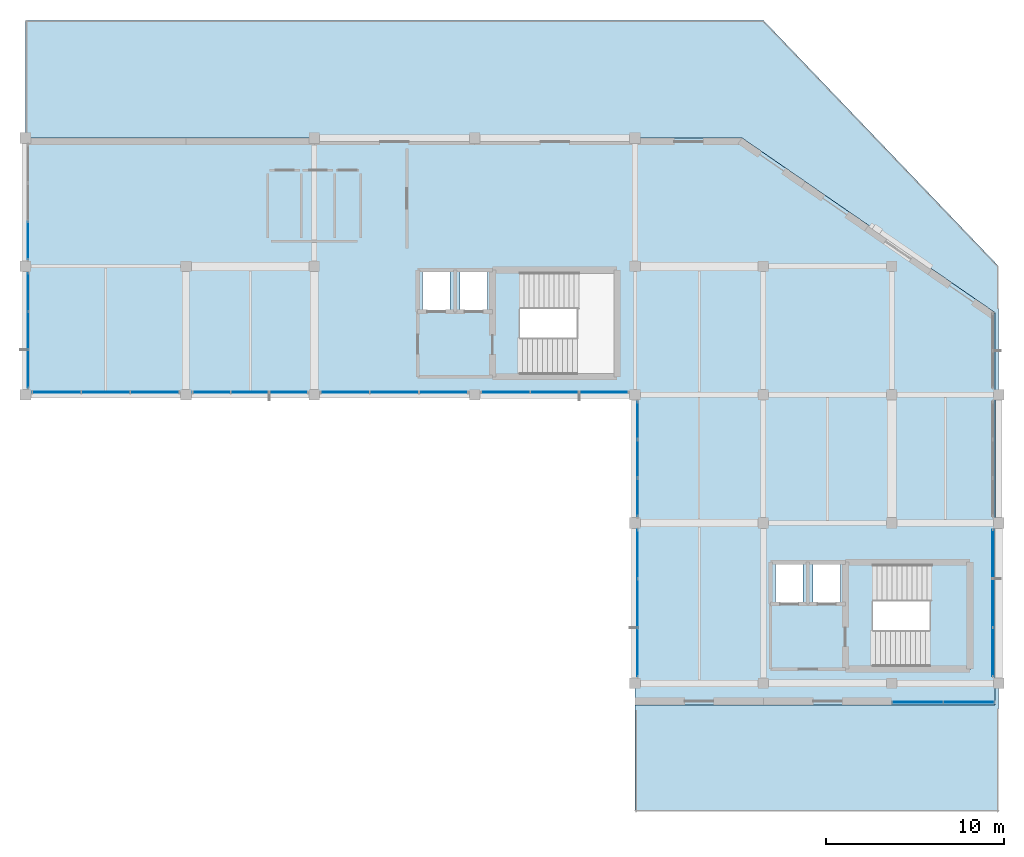
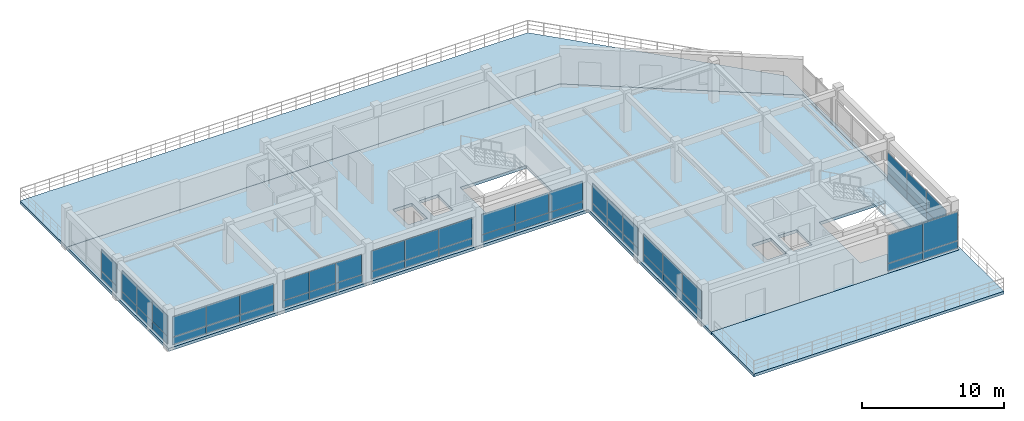
# One storey, part 7 of 12: 54 plates, 3 slabs, 11 elements without a shape of their own.
"""IFC4 building model written with IfcOpenShell, lengths in metres."""

from ifc_helpers import new_model, si_unit, direction, frame, frame_2d, origin, place, context, subcontext, project, spatial, polyline, rectangle, outline, extrude, material, layer, layer_set, type_object, element, aggregate, save


model = new_model("IFC4")

# Units and contexts
model_context = context("Model", 3, precision=1e-05, world=origin(), true_north=direction((0.0, 1.0)))
body_context = subcontext(model_context, "Body", "Model", "MODEL_VIEW")
ifc_project = project(units=[si_unit("LENGTHUNIT", "METRE"), si_unit("AREAUNIT", "SQUARE_METRE"), si_unit("VOLUMEUNIT", "CUBIC_METRE"), si_unit("PLANEANGLEUNIT", "RADIAN"), si_unit("MASSUNIT", "GRAM", prefix="KILO")], contexts=[model_context])

# Site, building, storey
site_placement = place(None, origin())
site = spatial("IfcSite", under=ifc_project, at=site_placement, CompositionType="ELEMENT")
building_placement = place(site_placement, origin())
building = spatial("IfcBuilding", under=site, at=building_placement, Name="Clarverna Civic Hall", CompositionType="ELEMENT")
storey_placement = place(building_placement, frame((0.0, 0.0, 24.0)))
storey = spatial("IfcBuildingStorey", under=building, at=storey_placement, Name="L06", CompositionType="ELEMENT", Elevation=24.0)

# Curtain wall, plates
ifc_material_1 = material(Name="Anodised Bronze Architectural Aluminium", Category="aluminium")
curtain_wall_type = type_object("IfcCurtainWallType", Name="CW-01", PredefinedType="USERDEFINED", material=ifc_material_1)
curtain_wall_1_placement = place(storey_placement, origin())
curtain_wall_1 = element("IfcCurtainWall", 1, at=curtain_wall_1_placement, inside=storey, type_object=curtain_wall_type, Name="CW-01-114", ObjectType="UNITISED CURTAIN WALL", PredefinedType="USERDEFINED")
ifc_material_2 = material(Name="Solar-Control Argon Low-E Double Glazing", Category="glass")
ifc_layer_1 = layer(ifc_material_2, 0.031982421875)
ifc_layer_set_1 = layer_set([ifc_layer_1], Name="Solar-Control Argon Low-E Double Glazing")
plate_type_1 = type_object("IfcPlateType", Name="CWP-01", PredefinedType="CURTAIN_PANEL", material=ifc_layer_set_1)
plate_1_placement = place(storey_placement, frame((113.5400390625, 95.387939453125, 0.764892578125), z_axis=(0.0, 0.0, 1.0), x_axis=(0.0, 1.0, 0.0)))
plate_1 = element("IfcPlate", 2, at=plate_1_placement, type_object=plate_type_1, Name="CWP-01-607", PredefinedType="CURTAIN_PANEL", context=body_context, shape_type="SweptSolid", body=[
    extrude(rectangle(XDim=2.121337890625, YDim=0.031982421875, at=frame_2d((1.060546875, 0.0))), origin(), (0.0, 0.0, 1.0), 1.78515625),
])
plate_2_placement = place(storey_placement, frame((113.5400390625, 97.539306640625, 0.764892578125), z_axis=(0.0, 0.0, 1.0), x_axis=(0.0, 1.0, 0.0)))
plate_2 = element("IfcPlate", 3, at=plate_2_placement, type_object=plate_type_1, Name="CWP-01-608", PredefinedType="CURTAIN_PANEL", context=body_context, shape_type="SweptSolid", body=[
    extrude(rectangle(XDim=2.121337890625, YDim=0.031982421875, at=frame_2d((1.060546875, 0.0))), origin(), (0.0, 0.0, 1.0), 1.78515625),
])
plate_3_placement = place(storey_placement, frame((113.5400390625, 99.690673828125, 0.764892578125), z_axis=(0.0, 0.0, 1.0), x_axis=(0.0, 1.0, 0.0)))
plate_3 = element("IfcPlate", 4, at=plate_3_placement, type_object=plate_type_1, Name="CWP-01-609", PredefinedType="CURTAIN_PANEL", context=body_context, shape_type="SweptSolid", body=[
    extrude(rectangle(XDim=2.121337890625, YDim=0.031982421875, at=frame_2d((1.060546875, 0.0))), origin(), (0.0, 0.0, 1.0), 1.78515625),
])

# Curtain wall, plate
curtain_wall_2_placement = place(storey_placement, origin())
curtain_wall_2 = element("IfcCurtainWall", 5, at=curtain_wall_2_placement, inside=storey, type_object=curtain_wall_type, Name="CW-01-115", ObjectType="UNITISED CURTAIN WALL", PredefinedType="USERDEFINED")
plate_4_placement = place(storey_placement, frame((113.5400390625, 102.587890625, 0.764892578125), z_axis=(0.0, 0.0, 1.0), x_axis=(0.0, 1.0, 0.0)))
plate_4 = element("IfcPlate", 6, at=plate_4_placement, type_object=plate_type_1, Name="CWP-01-610", PredefinedType="CURTAIN_PANEL", context=body_context, shape_type="SweptSolid", body=[
    extrude(rectangle(XDim=2.121337890625, YDim=0.031982421875, at=frame_2d((1.060546875, 0.0))), origin(), (0.0, 0.0, 1.0), 1.864990234375),
])

# Curtain wall, plates
curtain_wall_3_placement = place(storey_placement, origin())
curtain_wall_3 = element("IfcCurtainWall", 7, at=curtain_wall_3_placement, inside=storey, type_object=curtain_wall_type, Name="CW-01-118", ObjectType="UNITISED CURTAIN WALL", PredefinedType="USERDEFINED")
plate_5_placement = place(storey_placement, frame((167.659912109375, 87.412109375, 0.764892578125), z_axis=(0.0, 0.0, 1.0), x_axis=(0.0, -1.0, 0.0)))
plate_5 = element("IfcPlate", 8, at=plate_5_placement, type_object=plate_type_1, Name="CWP-01-618", PredefinedType="CURTAIN_PANEL", context=body_context, shape_type="SweptSolid", body=[
    extrude(rectangle(XDim=2.721435546875, YDim=0.031982421875, at=frame_2d((1.36083984375, 0.0))), origin(), (0.0, 0.0, 1.0), 1.7451171875),
])
plate_6_placement = place(storey_placement, frame((167.659912109375, 84.66064453125, 0.764892578125), z_axis=(0.0, 0.0, 1.0), x_axis=(0.0, -1.0, 0.0)))
plate_6 = element("IfcPlate", 9, at=plate_6_placement, type_object=plate_type_1, Name="CWP-01-619", PredefinedType="CURTAIN_PANEL", context=body_context, shape_type="SweptSolid", body=[
    extrude(rectangle(XDim=2.721435546875, YDim=0.031982421875, at=frame_2d((1.36083984375, 0.0))), origin(), (0.0, 0.0, 1.0), 1.7451171875),
])
plate_7_placement = place(storey_placement, frame((167.659912109375, 81.9091796875, 0.764892578125), z_axis=(0.0, 0.0, 1.0), x_axis=(0.0, -1.0, 0.0)))
plate_7 = element("IfcPlate", 10, at=plate_7_placement, type_object=plate_type_1, Name="CWP-01-620", PredefinedType="CURTAIN_PANEL", context=body_context, shape_type="SweptSolid", body=[
    extrude(rectangle(XDim=2.72119140625, YDim=0.031982421875, at=frame_2d((1.360595703125, 0.0))), origin(), (0.0, 0.0, 1.0), 1.7451171875),
])

curtain_wall_4_placement = place(storey_placement, origin())
curtain_wall_4 = element("IfcCurtainWall", 11, at=curtain_wall_4_placement, inside=storey, type_object=curtain_wall_type, Name="CW-01-119", ObjectType="UNITISED CURTAIN WALL", PredefinedType="USERDEFINED")
plate_8_placement = place(storey_placement, frame((167.751953125, 77.739990234375, 0.764892578125), z_axis=(0.0, 0.0, 1.0), x_axis=(-1.0, 0.0, 0.0)))
plate_8 = element("IfcPlate", 12, at=plate_8_placement, type_object=plate_type_1, Name="CWP-01-621", PredefinedType="CURTAIN_PANEL", context=body_context, shape_type="SweptSolid", body=[
    extrude(rectangle(XDim=2.8369140625, YDim=0.031982421875, at=frame_2d((1.41845703125, 0.0))), origin(), (0.0, 0.0, 1.0), 2.465087890625),
])
plate_9_placement = place(storey_placement, frame((164.885009765625, 77.739990234375, 0.764892578125), z_axis=(0.0, 0.0, 1.0), x_axis=(-1.0, 0.0, 0.0)))
plate_9 = element("IfcPlate", 13, at=plate_9_placement, type_object=plate_type_1, Name="CWP-01-622", PredefinedType="CURTAIN_PANEL", context=body_context, shape_type="SweptSolid", body=[
    extrude(rectangle(XDim=2.8369140625, YDim=0.031982421875, at=frame_2d((1.41845703125, 0.0))), origin(), (0.0, 0.0, 1.0), 2.465087890625),
])

curtain_wall_5_placement = place(storey_placement, origin())
curtain_wall_5 = element("IfcCurtainWall", 14, at=curtain_wall_5_placement, inside=storey, type_object=curtain_wall_type, Name="CW-01-120", ObjectType="UNITISED CURTAIN WALL", PredefinedType="USERDEFINED")
plate_10_placement = place(storey_placement, frame((147.739990234375, 79.18798828125, 0.764892578125), z_axis=(0.0, 0.0, 1.0), x_axis=(0.0, 1.0, 0.0)))
plate_10 = element("IfcPlate", 15, at=plate_10_placement, type_object=plate_type_1, Name="CWP-01-623", PredefinedType="CURTAIN_PANEL", context=body_context, shape_type="SweptSolid", body=[
    extrude(rectangle(XDim=2.72119140625, YDim=0.031982421875, at=frame_2d((1.360595703125, 0.0))), origin(), (0.0, 0.0, 1.0), 1.715087890625),
])
plate_11_placement = place(storey_placement, frame((147.739990234375, 81.939208984375, 0.764892578125), z_axis=(0.0, 0.0, 1.0), x_axis=(0.0, 1.0, 0.0)))
plate_11 = element("IfcPlate", 16, at=plate_11_placement, type_object=plate_type_1, Name="CWP-01-624", PredefinedType="CURTAIN_PANEL", context=body_context, shape_type="SweptSolid", body=[
    extrude(rectangle(XDim=2.721435546875, YDim=0.031982421875, at=frame_2d((1.36083984375, 0.0))), origin(), (0.0, 0.0, 1.0), 1.715087890625),
])
plate_12_placement = place(storey_placement, frame((147.739990234375, 84.690673828125, 0.764892578125), z_axis=(0.0, 0.0, 1.0), x_axis=(0.0, 1.0, 0.0)))
plate_12 = element("IfcPlate", 17, at=plate_12_placement, type_object=plate_type_1, Name="CWP-01-625", PredefinedType="CURTAIN_PANEL", context=body_context, shape_type="SweptSolid", body=[
    extrude(rectangle(XDim=2.721435546875, YDim=0.031982421875, at=frame_2d((1.36083984375, 0.0))), origin(), (0.0, 0.0, 1.0), 1.715087890625),
])

curtain_wall_6_placement = place(storey_placement, origin())
curtain_wall_6 = element("IfcCurtainWall", 18, at=curtain_wall_6_placement, inside=storey, type_object=curtain_wall_type, Name="CW-01-121", ObjectType="UNITISED CURTAIN WALL", PredefinedType="USERDEFINED")
plate_13_placement = place(storey_placement, frame((147.739990234375, 88.18798828125, 0.764892578125), z_axis=(0.0, 0.0, 1.0), x_axis=(0.0, 1.0, 0.0)))
plate_13 = element("IfcPlate", 19, at=plate_13_placement, type_object=plate_type_1, Name="CWP-01-626", PredefinedType="CURTAIN_PANEL", context=body_context, shape_type="SweptSolid", body=[
    extrude(rectangle(XDim=2.121337890625, YDim=0.031982421875, at=frame_2d((1.060546875, 0.0))), origin(), (0.0, 0.0, 1.0), 1.715087890625),
])
plate_14_placement = place(storey_placement, frame((147.739990234375, 90.33935546875, 0.764892578125), z_axis=(0.0, 0.0, 1.0), x_axis=(0.0, 1.0, 0.0)))
plate_14 = element("IfcPlate", 20, at=plate_14_placement, type_object=plate_type_1, Name="CWP-01-627", PredefinedType="CURTAIN_PANEL", context=body_context, shape_type="SweptSolid", body=[
    extrude(rectangle(XDim=2.121337890625, YDim=0.031982421875, at=frame_2d((1.060546875, 0.0))), origin(), (0.0, 0.0, 1.0), 1.715087890625),
])
plate_15_placement = place(storey_placement, frame((147.739990234375, 92.49072265625, 0.764892578125), z_axis=(0.0, 0.0, 1.0), x_axis=(0.0, 1.0, 0.0)))
plate_15 = element("IfcPlate", 21, at=plate_15_placement, type_object=plate_type_1, Name="CWP-01-628", PredefinedType="CURTAIN_PANEL", context=body_context, shape_type="SweptSolid", body=[
    extrude(rectangle(XDim=2.121337890625, YDim=0.031982421875, at=frame_2d((1.060546875, 0.0))), origin(), (0.0, 0.0, 1.0), 1.715087890625),
])

curtain_wall_7_placement = place(storey_placement, origin())
curtain_wall_7 = element("IfcCurtainWall", 22, at=curtain_wall_7_placement, inside=storey, type_object=curtain_wall_type, Name="CW-01-122", ObjectType="UNITISED CURTAIN WALL", PredefinedType="USERDEFINED")
plate_16_placement = place(storey_placement, frame((147.2119140625, 95.139892578125, 0.764892578125), z_axis=(0.0, 0.0, 1.0), x_axis=(-1.0, 0.0, 0.0)))
plate_16 = element("IfcPlate", 23, at=plate_16_placement, type_object=plate_type_1, Name="CWP-01-629", PredefinedType="CURTAIN_PANEL", context=body_context, shape_type="SweptSolid", body=[
    extrude(rectangle(XDim=2.72119140625, YDim=0.031982421875, at=frame_2d((1.360595703125, 0.0))), origin(), (0.0, 0.0, 1.0), 1.7451171875),
])
plate_17_placement = place(storey_placement, frame((144.460693359375, 95.139892578125, 0.764892578125), z_axis=(0.0, 0.0, 1.0), x_axis=(-1.0, 0.0, 0.0)))
plate_17 = element("IfcPlate", 24, at=plate_17_placement, type_object=plate_type_1, Name="CWP-01-630", PredefinedType="CURTAIN_PANEL", context=body_context, shape_type="SweptSolid", body=[
    extrude(rectangle(XDim=2.721435546875, YDim=0.031982421875, at=frame_2d((1.36083984375, 0.0))), origin(), (0.0, 0.0, 1.0), 1.7451171875),
])
plate_18_placement = place(storey_placement, frame((141.709228515625, 95.139892578125, 0.764892578125), z_axis=(0.0, 0.0, 1.0), x_axis=(-1.0, 0.0, 0.0)))
plate_18 = element("IfcPlate", 25, at=plate_18_placement, type_object=plate_type_1, Name="CWP-01-631", PredefinedType="CURTAIN_PANEL", context=body_context, shape_type="SweptSolid", body=[
    extrude(rectangle(XDim=2.72119140625, YDim=0.031982421875, at=frame_2d((1.360595703125, 0.0))), origin(), (0.0, 0.0, 1.0), 1.7451171875),
])

curtain_wall_8_placement = place(storey_placement, origin())
curtain_wall_8 = element("IfcCurtainWall", 26, at=curtain_wall_8_placement, inside=storey, type_object=curtain_wall_type, Name="CW-01-123", ObjectType="UNITISED CURTAIN WALL", PredefinedType="USERDEFINED")
plate_19_placement = place(storey_placement, frame((138.2119140625, 95.139892578125, 0.764892578125), z_axis=(0.0, 0.0, 1.0), x_axis=(-1.0, 0.0, 0.0)))
plate_19 = element("IfcPlate", 27, at=plate_19_placement, type_object=plate_type_1, Name="CWP-01-632", PredefinedType="CURTAIN_PANEL", context=body_context, shape_type="SweptSolid", body=[
    extrude(rectangle(XDim=2.72119140625, YDim=0.031982421875, at=frame_2d((1.360595703125, 0.0))), origin(), (0.0, 0.0, 1.0), 1.7451171875),
])
plate_20_placement = place(storey_placement, frame((135.460693359375, 95.139892578125, 0.764892578125), z_axis=(0.0, 0.0, 1.0), x_axis=(-1.0, 0.0, 0.0)))
plate_20 = element("IfcPlate", 28, at=plate_20_placement, type_object=plate_type_1, Name="CWP-01-633", PredefinedType="CURTAIN_PANEL", context=body_context, shape_type="SweptSolid", body=[
    extrude(rectangle(XDim=2.721435546875, YDim=0.031982421875, at=frame_2d((1.36083984375, 0.0))), origin(), (0.0, 0.0, 1.0), 1.7451171875),
])
plate_21_placement = place(storey_placement, frame((132.709228515625, 95.139892578125, 0.764892578125), z_axis=(0.0, 0.0, 1.0), x_axis=(-1.0, 0.0, 0.0)))
plate_21 = element("IfcPlate", 29, at=plate_21_placement, type_object=plate_type_1, Name="CWP-01-634", PredefinedType="CURTAIN_PANEL", context=body_context, shape_type="SweptSolid", body=[
    extrude(rectangle(XDim=2.72119140625, YDim=0.031982421875, at=frame_2d((1.360595703125, 0.0))), origin(), (0.0, 0.0, 1.0), 1.7451171875),
])

curtain_wall_9_placement = place(storey_placement, origin())
curtain_wall_9 = element("IfcCurtainWall", 30, at=curtain_wall_9_placement, inside=storey, type_object=curtain_wall_type, Name="CW-01-124", ObjectType="UNITISED CURTAIN WALL", PredefinedType="USERDEFINED")
plate_22_placement = place(storey_placement, frame((129.2119140625, 95.139892578125, 0.764892578125), z_axis=(0.0, 0.0, 1.0), x_axis=(-1.0, 0.0, 0.0)))
plate_22 = element("IfcPlate", 31, at=plate_22_placement, type_object=plate_type_1, Name="CWP-01-635", PredefinedType="CURTAIN_PANEL", context=body_context, shape_type="SweptSolid", body=[
    extrude(rectangle(XDim=2.12109375, YDim=0.031982421875, at=frame_2d((1.060546875, 0.0))), origin(), (0.0, 0.0, 1.0), 1.7451171875),
])
plate_23_placement = place(storey_placement, frame((127.060791015625, 95.139892578125, 0.764892578125), z_axis=(0.0, 0.0, 1.0), x_axis=(-1.0, 0.0, 0.0)))
plate_23 = element("IfcPlate", 32, at=plate_23_placement, type_object=plate_type_1, Name="CWP-01-636", PredefinedType="CURTAIN_PANEL", context=body_context, shape_type="SweptSolid", body=[
    extrude(rectangle(XDim=2.12158203125, YDim=0.031982421875, at=frame_2d((1.060791015625, 0.0))), origin(), (0.0, 0.0, 1.0), 1.7451171875),
])
plate_24_placement = place(storey_placement, frame((124.9091796875, 95.139892578125, 0.764892578125), z_axis=(0.0, 0.0, 1.0), x_axis=(-1.0, 0.0, 0.0)))
plate_24 = element("IfcPlate", 33, at=plate_24_placement, type_object=plate_type_1, Name="CWP-01-637", PredefinedType="CURTAIN_PANEL", context=body_context, shape_type="SweptSolid", body=[
    extrude(rectangle(XDim=2.12109375, YDim=0.031982421875, at=frame_2d((1.060546875, 0.0))), origin(), (0.0, 0.0, 1.0), 1.7451171875),
])

curtain_wall_10_placement = place(storey_placement, origin())
curtain_wall_10 = element("IfcCurtainWall", 34, at=curtain_wall_10_placement, inside=storey, type_object=curtain_wall_type, Name="CW-01-125", ObjectType="UNITISED CURTAIN WALL", PredefinedType="USERDEFINED")
plate_25_placement = place(storey_placement, frame((122.011962890625, 95.139892578125, 0.764892578125), z_axis=(0.0, 0.0, 1.0), x_axis=(-1.0, 0.0, 0.0)))
plate_25 = element("IfcPlate", 35, at=plate_25_placement, type_object=plate_type_1, Name="CWP-01-638", PredefinedType="CURTAIN_PANEL", context=body_context, shape_type="SweptSolid", body=[
    extrude(rectangle(XDim=2.72119140625, YDim=0.031982421875, at=frame_2d((1.360595703125, 0.0))), origin(), (0.0, 0.0, 1.0), 1.7451171875),
])
plate_26_placement = place(storey_placement, frame((119.2607421875, 95.139892578125, 0.764892578125), z_axis=(0.0, 0.0, 1.0), x_axis=(-1.0, 0.0, 0.0)))
plate_26 = element("IfcPlate", 36, at=plate_26_placement, type_object=plate_type_1, Name="CWP-01-639", PredefinedType="CURTAIN_PANEL", context=body_context, shape_type="SweptSolid", body=[
    extrude(rectangle(XDim=2.721435546875, YDim=0.031982421875, at=frame_2d((1.36083984375, 0.0))), origin(), (0.0, 0.0, 1.0), 1.7451171875),
])
plate_27_placement = place(storey_placement, frame((116.50927734375, 95.139892578125, 0.764892578125), z_axis=(0.0, 0.0, 1.0), x_axis=(-1.0, 0.0, 0.0)))
plate_27 = element("IfcPlate", 37, at=plate_27_placement, type_object=plate_type_1, Name="CWP-01-640", PredefinedType="CURTAIN_PANEL", context=body_context, shape_type="SweptSolid", body=[
    extrude(rectangle(XDim=2.72119140625, YDim=0.031982421875, at=frame_2d((1.360595703125, 0.0))), origin(), (0.0, 0.0, 1.0), 1.7451171875),
])

# Plate
ifc_material_3 = material(Name="Insulated Anodised Bronze Spandrel Panel", Category="aluminium")
ifc_layer_2 = layer(ifc_material_3, 0.048095703125)
ifc_layer_set_2 = layer_set([ifc_layer_2], Name="Insulated Anodised Bronze Spandrel Panel")
plate_type_2 = type_object("IfcPlateType", Name="CWP-03", PredefinedType="CURTAIN_PANEL", material=ifc_layer_set_2)
plate_28_placement = place(storey_placement, frame((113.5400390625, 95.387939453125, 0.110107421875), z_axis=(0.0, 0.0, 1.0), x_axis=(0.0, 1.0, 0.0)))
plate_28 = element("IfcPlate", 38, at=plate_28_placement, type_object=plate_type_2, Name="CWP-03-627", PredefinedType="CURTAIN_PANEL", context=body_context, shape_type="SweptSolid", body=[
    extrude(rectangle(XDim=2.121337890625, YDim=0.048095703125, at=frame_2d((1.060546875, 0.0))), origin(), (0.0, 0.0, 1.0), 0.625),
])

plate_29_placement = place(storey_placement, frame((113.5400390625, 97.539306640625, 0.110107421875), z_axis=(0.0, 0.0, 1.0), x_axis=(0.0, 1.0, 0.0)))
plate_29 = element("IfcPlate", 39, at=plate_29_placement, type_object=plate_type_2, Name="CWP-03-628", PredefinedType="CURTAIN_PANEL", context=body_context, shape_type="SweptSolid", body=[
    extrude(rectangle(XDim=2.121337890625, YDim=0.048095703125, at=frame_2d((1.060546875, 0.0))), origin(), (0.0, 0.0, 1.0), 0.625),
])

plate_30_placement = place(storey_placement, frame((113.5400390625, 99.690673828125, 0.110107421875), z_axis=(0.0, 0.0, 1.0), x_axis=(0.0, 1.0, 0.0)))
plate_30 = element("IfcPlate", 40, at=plate_30_placement, type_object=plate_type_2, Name="CWP-03-629", PredefinedType="CURTAIN_PANEL", context=body_context, shape_type="SweptSolid", body=[
    extrude(rectangle(XDim=2.121337890625, YDim=0.048095703125, at=frame_2d((1.060546875, 0.0))), origin(), (0.0, 0.0, 1.0), 0.625),
])

aggregate(curtain_wall_1, [plate_28, plate_1, plate_29, plate_2, plate_30, plate_3])

plate_31_placement = place(storey_placement, frame((113.5400390625, 102.587890625, 0.110107421875), z_axis=(0.0, 0.0, 1.0), x_axis=(0.0, 1.0, 0.0)))
plate_31 = element("IfcPlate", 41, at=plate_31_placement, type_object=plate_type_2, Name="CWP-03-630", PredefinedType="CURTAIN_PANEL", context=body_context, shape_type="SweptSolid", body=[
    extrude(rectangle(XDim=2.121337890625, YDim=0.048095703125, at=frame_2d((1.060546875, 0.0))), origin(), (0.0, 0.0, 1.0), 0.625),
])

aggregate(curtain_wall_2, [plate_31, plate_4])

plate_32_placement = place(storey_placement, frame((167.659912109375, 87.412109375, 0.110107421875), z_axis=(0.0, 0.0, 1.0), x_axis=(0.0, -1.0, 0.0)))
plate_32 = element("IfcPlate", 42, at=plate_32_placement, type_object=plate_type_2, Name="CWP-03-638", PredefinedType="CURTAIN_PANEL", context=body_context, shape_type="SweptSolid", body=[
    extrude(rectangle(XDim=2.721435546875, YDim=0.048095703125, at=frame_2d((1.36083984375, 0.0))), origin(), (0.0, 0.0, 1.0), 0.625),
])

plate_33_placement = place(storey_placement, frame((167.659912109375, 84.66064453125, 0.110107421875), z_axis=(0.0, 0.0, 1.0), x_axis=(0.0, -1.0, 0.0)))
plate_33 = element("IfcPlate", 43, at=plate_33_placement, type_object=plate_type_2, Name="CWP-03-639", PredefinedType="CURTAIN_PANEL", context=body_context, shape_type="SweptSolid", body=[
    extrude(rectangle(XDim=2.721435546875, YDim=0.048095703125, at=frame_2d((1.36083984375, 0.0))), origin(), (0.0, 0.0, 1.0), 0.625),
])

plate_34_placement = place(storey_placement, frame((167.659912109375, 81.9091796875, 0.110107421875), z_axis=(0.0, 0.0, 1.0), x_axis=(0.0, -1.0, 0.0)))
plate_34 = element("IfcPlate", 44, at=plate_34_placement, type_object=plate_type_2, Name="CWP-03-640", PredefinedType="CURTAIN_PANEL", context=body_context, shape_type="SweptSolid", body=[
    extrude(rectangle(XDim=2.72119140625, YDim=0.048095703125, at=frame_2d((1.360595703125, 0.0))), origin(), (0.0, 0.0, 1.0), 0.625),
])

aggregate(curtain_wall_3, [plate_32, plate_5, plate_33, plate_6, plate_34, plate_7])

plate_35_placement = place(storey_placement, frame((167.751953125, 77.739990234375, 0.110107421875), z_axis=(0.0, 0.0, 1.0), x_axis=(-1.0, 0.0, 0.0)))
plate_35 = element("IfcPlate", 45, at=plate_35_placement, type_object=plate_type_2, Name="CWP-03-641", PredefinedType="CURTAIN_PANEL", context=body_context, shape_type="SweptSolid", body=[
    extrude(rectangle(XDim=2.8369140625, YDim=0.048095703125, at=frame_2d((1.41845703125, 0.0))), origin(), (0.0, 0.0, 1.0), 0.625),
])

plate_36_placement = place(storey_placement, frame((164.885009765625, 77.739990234375, 0.110107421875), z_axis=(0.0, 0.0, 1.0), x_axis=(-1.0, 0.0, 0.0)))
plate_36 = element("IfcPlate", 46, at=plate_36_placement, type_object=plate_type_2, Name="CWP-03-642", PredefinedType="CURTAIN_PANEL", context=body_context, shape_type="SweptSolid", body=[
    extrude(rectangle(XDim=2.8369140625, YDim=0.048095703125, at=frame_2d((1.41845703125, 0.0))), origin(), (0.0, 0.0, 1.0), 0.625),
])

aggregate(curtain_wall_4, [plate_35, plate_8, plate_36, plate_9])

plate_37_placement = place(storey_placement, frame((147.739990234375, 79.18798828125, 0.110107421875), z_axis=(0.0, 0.0, 1.0), x_axis=(0.0, 1.0, 0.0)))
plate_37 = element("IfcPlate", 47, at=plate_37_placement, type_object=plate_type_2, Name="CWP-03-643", PredefinedType="CURTAIN_PANEL", context=body_context, shape_type="SweptSolid", body=[
    extrude(rectangle(XDim=2.72119140625, YDim=0.048095703125, at=frame_2d((1.360595703125, 0.0))), origin(), (0.0, 0.0, 1.0), 0.625),
])

plate_38_placement = place(storey_placement, frame((147.739990234375, 81.939208984375, 0.110107421875), z_axis=(0.0, 0.0, 1.0), x_axis=(0.0, 1.0, 0.0)))
plate_38 = element("IfcPlate", 48, at=plate_38_placement, type_object=plate_type_2, Name="CWP-03-644", PredefinedType="CURTAIN_PANEL", context=body_context, shape_type="SweptSolid", body=[
    extrude(rectangle(XDim=2.721435546875, YDim=0.048095703125, at=frame_2d((1.36083984375, 0.0))), origin(), (0.0, 0.0, 1.0), 0.625),
])

plate_39_placement = place(storey_placement, frame((147.739990234375, 84.690673828125, 0.110107421875), z_axis=(0.0, 0.0, 1.0), x_axis=(0.0, 1.0, 0.0)))
plate_39 = element("IfcPlate", 49, at=plate_39_placement, type_object=plate_type_2, Name="CWP-03-645", PredefinedType="CURTAIN_PANEL", context=body_context, shape_type="SweptSolid", body=[
    extrude(rectangle(XDim=2.721435546875, YDim=0.048095703125, at=frame_2d((1.36083984375, 0.0))), origin(), (0.0, 0.0, 1.0), 0.625),
])

aggregate(curtain_wall_5, [plate_37, plate_10, plate_38, plate_11, plate_39, plate_12])

plate_40_placement = place(storey_placement, frame((147.739990234375, 88.18798828125, 0.110107421875), z_axis=(0.0, 0.0, 1.0), x_axis=(0.0, 1.0, 0.0)))
plate_40 = element("IfcPlate", 50, at=plate_40_placement, type_object=plate_type_2, Name="CWP-03-646", PredefinedType="CURTAIN_PANEL", context=body_context, shape_type="SweptSolid", body=[
    extrude(rectangle(XDim=2.121337890625, YDim=0.048095703125, at=frame_2d((1.060546875, 0.0))), origin(), (0.0, 0.0, 1.0), 0.625),
])

plate_41_placement = place(storey_placement, frame((147.739990234375, 90.33935546875, 0.110107421875), z_axis=(0.0, 0.0, 1.0), x_axis=(0.0, 1.0, 0.0)))
plate_41 = element("IfcPlate", 51, at=plate_41_placement, type_object=plate_type_2, Name="CWP-03-647", PredefinedType="CURTAIN_PANEL", context=body_context, shape_type="SweptSolid", body=[
    extrude(rectangle(XDim=2.121337890625, YDim=0.048095703125, at=frame_2d((1.060546875, 0.0))), origin(), (0.0, 0.0, 1.0), 0.625),
])

plate_42_placement = place(storey_placement, frame((147.739990234375, 92.49072265625, 0.110107421875), z_axis=(0.0, 0.0, 1.0), x_axis=(0.0, 1.0, 0.0)))
plate_42 = element("IfcPlate", 52, at=plate_42_placement, type_object=plate_type_2, Name="CWP-03-648", PredefinedType="CURTAIN_PANEL", context=body_context, shape_type="SweptSolid", body=[
    extrude(rectangle(XDim=2.121337890625, YDim=0.048095703125, at=frame_2d((1.060546875, 0.0))), origin(), (0.0, 0.0, 1.0), 0.625),
])

aggregate(curtain_wall_6, [plate_40, plate_13, plate_41, plate_14, plate_42, plate_15])

plate_43_placement = place(storey_placement, frame((147.2119140625, 95.139892578125, 0.110107421875), z_axis=(0.0, 0.0, 1.0), x_axis=(-1.0, 0.0, 0.0)))
plate_43 = element("IfcPlate", 53, at=plate_43_placement, type_object=plate_type_2, Name="CWP-03-649", PredefinedType="CURTAIN_PANEL", context=body_context, shape_type="SweptSolid", body=[
    extrude(rectangle(XDim=2.72119140625, YDim=0.048095703125, at=frame_2d((1.360595703125, 0.0))), origin(), (0.0, 0.0, 1.0), 0.625),
])

plate_44_placement = place(storey_placement, frame((144.460693359375, 95.139892578125, 0.110107421875), z_axis=(0.0, 0.0, 1.0), x_axis=(-1.0, 0.0, 0.0)))
plate_44 = element("IfcPlate", 54, at=plate_44_placement, type_object=plate_type_2, Name="CWP-03-650", PredefinedType="CURTAIN_PANEL", context=body_context, shape_type="SweptSolid", body=[
    extrude(rectangle(XDim=2.721435546875, YDim=0.048095703125, at=frame_2d((1.36083984375, 0.0))), origin(), (0.0, 0.0, 1.0), 0.625),
])

plate_45_placement = place(storey_placement, frame((141.709228515625, 95.139892578125, 0.110107421875), z_axis=(0.0, 0.0, 1.0), x_axis=(-1.0, 0.0, 0.0)))
plate_45 = element("IfcPlate", 55, at=plate_45_placement, type_object=plate_type_2, Name="CWP-03-651", PredefinedType="CURTAIN_PANEL", context=body_context, shape_type="SweptSolid", body=[
    extrude(rectangle(XDim=2.72119140625, YDim=0.048095703125, at=frame_2d((1.360595703125, 0.0))), origin(), (0.0, 0.0, 1.0), 0.625),
])

aggregate(curtain_wall_7, [plate_43, plate_16, plate_44, plate_17, plate_45, plate_18])

plate_46_placement = place(storey_placement, frame((138.2119140625, 95.139892578125, 0.110107421875), z_axis=(0.0, 0.0, 1.0), x_axis=(-1.0, 0.0, 0.0)))
plate_46 = element("IfcPlate", 56, at=plate_46_placement, type_object=plate_type_2, Name="CWP-03-652", PredefinedType="CURTAIN_PANEL", context=body_context, shape_type="SweptSolid", body=[
    extrude(rectangle(XDim=2.72119140625, YDim=0.048095703125, at=frame_2d((1.360595703125, 0.0))), origin(), (0.0, 0.0, 1.0), 0.625),
])

plate_47_placement = place(storey_placement, frame((135.460693359375, 95.139892578125, 0.110107421875), z_axis=(0.0, 0.0, 1.0), x_axis=(-1.0, 0.0, 0.0)))
plate_47 = element("IfcPlate", 57, at=plate_47_placement, type_object=plate_type_2, Name="CWP-03-653", PredefinedType="CURTAIN_PANEL", context=body_context, shape_type="SweptSolid", body=[
    extrude(rectangle(XDim=2.721435546875, YDim=0.048095703125, at=frame_2d((1.36083984375, 0.0))), origin(), (0.0, 0.0, 1.0), 0.625),
])

plate_48_placement = place(storey_placement, frame((132.709228515625, 95.139892578125, 0.110107421875), z_axis=(0.0, 0.0, 1.0), x_axis=(-1.0, 0.0, 0.0)))
plate_48 = element("IfcPlate", 58, at=plate_48_placement, type_object=plate_type_2, Name="CWP-03-654", PredefinedType="CURTAIN_PANEL", context=body_context, shape_type="SweptSolid", body=[
    extrude(rectangle(XDim=2.72119140625, YDim=0.048095703125, at=frame_2d((1.360595703125, 0.0))), origin(), (0.0, 0.0, 1.0), 0.625),
])

aggregate(curtain_wall_8, [plate_46, plate_19, plate_47, plate_20, plate_48, plate_21])

plate_49_placement = place(storey_placement, frame((129.2119140625, 95.139892578125, 0.110107421875), z_axis=(0.0, 0.0, 1.0), x_axis=(-1.0, 0.0, 0.0)))
plate_49 = element("IfcPlate", 59, at=plate_49_placement, type_object=plate_type_2, Name="CWP-03-655", PredefinedType="CURTAIN_PANEL", context=body_context, shape_type="SweptSolid", body=[
    extrude(rectangle(XDim=2.12109375, YDim=0.048095703125, at=frame_2d((1.060546875, 0.0))), origin(), (0.0, 0.0, 1.0), 0.625),
])

plate_50_placement = place(storey_placement, frame((127.060791015625, 95.139892578125, 0.110107421875), z_axis=(0.0, 0.0, 1.0), x_axis=(-1.0, 0.0, 0.0)))
plate_50 = element("IfcPlate", 60, at=plate_50_placement, type_object=plate_type_2, Name="CWP-03-656", PredefinedType="CURTAIN_PANEL", context=body_context, shape_type="SweptSolid", body=[
    extrude(rectangle(XDim=2.12158203125, YDim=0.048095703125, at=frame_2d((1.060791015625, 0.0))), origin(), (0.0, 0.0, 1.0), 0.625),
])

plate_51_placement = place(storey_placement, frame((124.9091796875, 95.139892578125, 0.110107421875), z_axis=(0.0, 0.0, 1.0), x_axis=(-1.0, 0.0, 0.0)))
plate_51 = element("IfcPlate", 61, at=plate_51_placement, type_object=plate_type_2, Name="CWP-03-657", PredefinedType="CURTAIN_PANEL", context=body_context, shape_type="SweptSolid", body=[
    extrude(rectangle(XDim=2.12109375, YDim=0.048095703125, at=frame_2d((1.060546875, 0.0))), origin(), (0.0, 0.0, 1.0), 0.625),
])

aggregate(curtain_wall_9, [plate_49, plate_22, plate_50, plate_23, plate_51, plate_24])

plate_52_placement = place(storey_placement, frame((122.011962890625, 95.139892578125, 0.110107421875), z_axis=(0.0, 0.0, 1.0), x_axis=(-1.0, 0.0, 0.0)))
plate_52 = element("IfcPlate", 62, at=plate_52_placement, type_object=plate_type_2, Name="CWP-03-658", PredefinedType="CURTAIN_PANEL", context=body_context, shape_type="SweptSolid", body=[
    extrude(rectangle(XDim=2.72119140625, YDim=0.048095703125, at=frame_2d((1.360595703125, 0.0))), origin(), (0.0, 0.0, 1.0), 0.625),
])

plate_53_placement = place(storey_placement, frame((119.2607421875, 95.139892578125, 0.110107421875), z_axis=(0.0, 0.0, 1.0), x_axis=(-1.0, 0.0, 0.0)))
plate_53 = element("IfcPlate", 63, at=plate_53_placement, type_object=plate_type_2, Name="CWP-03-659", PredefinedType="CURTAIN_PANEL", context=body_context, shape_type="SweptSolid", body=[
    extrude(rectangle(XDim=2.721435546875, YDim=0.048095703125, at=frame_2d((1.36083984375, 0.0))), origin(), (0.0, 0.0, 1.0), 0.625),
])

plate_54_placement = place(storey_placement, frame((116.50927734375, 95.139892578125, 0.110107421875), z_axis=(0.0, 0.0, 1.0), x_axis=(-1.0, 0.0, 0.0)))
plate_54 = element("IfcPlate", 64, at=plate_54_placement, type_object=plate_type_2, Name="CWP-03-660", PredefinedType="CURTAIN_PANEL", context=body_context, shape_type="SweptSolid", body=[
    extrude(rectangle(XDim=2.72119140625, YDim=0.048095703125, at=frame_2d((1.360595703125, 0.0))), origin(), (0.0, 0.0, 1.0), 0.625),
])

aggregate(curtain_wall_10, [plate_52, plate_25, plate_53, plate_26, plate_54, plate_27])

# Slab
ifc_material_4 = material(Name="Concrete C30/37", Category="concrete")
ifc_layer_3 = layer(ifc_material_4, 0.260009765625)
ifc_layer_set_3 = layer_set([ifc_layer_3], Name="Concrete C30/37")
slab_type_1 = type_object("IfcSlabType", Name="SL-FL5", PredefinedType="FLOOR", material=ifc_layer_set_3)
slab_1_placement = place(storey_placement, frame((0.0, 0.0, -0.260009765625)))
element("IfcSlab", 65, at=slab_1_placement, inside=storey, type_object=slab_type_1, Name="SL-FL5-001", PredefinedType="FLOOR", context=body_context, shape_type="SweptSolid", body=[
    extrude(outline(polyline([(113.39990234375, 95.0), (147.60009765625, 95.0), (147.60009765625, 77.60009765625), (167.800048828125, 77.60009765625), (167.800048828125, 99.60009765625), (153.60009765625, 109.39990234375), (113.39990234375, 109.39990234375), (113.39990234375, 95.0)]), holes=[polyline([(141.14990234375, 96.1201171875), (146.550048828125, 96.1201171875), (146.550048828125, 101.8798828125), (141.14990234375, 101.8798828125), (141.14990234375, 96.1201171875)]), polyline([(135.669921875, 99.739990234375), (137.22998046875, 99.739990234375), (137.22998046875, 101.89990234375), (135.669921875, 101.89990234375), (135.669921875, 99.739990234375)]), polyline([(137.77001953125, 99.739990234375), (139.330078125, 99.739990234375), (139.330078125, 101.89990234375), (137.77001953125, 101.89990234375), (137.77001953125, 99.739990234375)]), polyline([(160.949951171875, 79.719970703125), (166.35009765625, 79.719970703125), (166.35009765625, 85.47998046875), (160.949951171875, 85.47998046875), (160.949951171875, 79.719970703125)]), polyline([(155.469970703125, 83.340087890625), (157.030029296875, 83.340087890625), (157.030029296875, 85.5), (155.469970703125, 85.5), (155.469970703125, 83.340087890625)]), polyline([(157.570068359375, 83.340087890625), (159.1298828125, 83.340087890625), (159.1298828125, 85.5), (157.570068359375, 85.5), (157.570068359375, 83.340087890625)])]), origin(), (0.0, 0.0, 1.0), 0.260009765625),
])

# Stair, slab
stair_type = type_object("IfcStairType", Name="ST-H1", PredefinedType="HALF_TURN_STAIR", material=ifc_material_4)
stair_placement = place(storey_placement, origin())
stair = element("IfcStair", 66, at=stair_placement, inside=storey, type_object=stair_type, Name="ST-H1:L06:0012", PredefinedType="HALF_TURN_STAIR")
ifc_layer_4 = layer(ifc_material_4, 0.199951171875)
ifc_layer_set_4 = layer_set([ifc_layer_4], Name="Concrete C30/37")
slab_type_2 = type_object("IfcSlabType", Name="SL-LD1", PredefinedType="LANDING", material=ifc_layer_set_4)
slab_2_placement = place(storey_placement, frame((0.0, 0.0, 1.60009765625)))
slab_2 = element("IfcSlab", 67, at=slab_2_placement, type_object=slab_type_2, Name="SL-LD1-016", PredefinedType="LANDING", context=body_context, shape_type="SweptSolid", body=[
    extrude(outline(polyline([(164.139892578125, 79.6201171875), (166.449951171875, 79.6201171875), (166.449951171875, 85.580078125), (164.139892578125, 85.580078125), (164.139892578125, 79.6201171875)])), origin(), (0.0, 0.0, 1.0), 0.199951171875),
])
aggregate(stair, [slab_2])

# Slab
ifc_layer_5 = layer(ifc_material_4, 0.239990234375)
ifc_layer_set_5 = layer_set([ifc_layer_5], Name="Concrete C30/37")
slab_type_3 = type_object("IfcSlabType", Name="SL-TR1", PredefinedType="FLOOR", material=ifc_layer_set_5)
slab_3_placement = place(storey_placement, frame((0.0, 0.0, -0.239990234375)))
element("IfcSlab", 68, at=slab_3_placement, inside=storey, type_object=slab_type_3, Name="SL-TR1-012", PredefinedType="FLOOR", context=body_context, shape_type="SweptSolid", body=[
    extrude(outline(polyline([(113.39990234375, 116.0), (113.39990234375, 109.40087890625), (153.60009765625, 109.40087890625), (153.60009765625, 109.40087890625), (153.60009765625, 109.40087890625), (153.600341796875, 109.40087890625), (153.600341796875, 109.40087890625), (153.6005859375, 109.40087890625), (153.6005859375, 109.40087890625), (167.800537109375, 99.600830078125), (167.800537109375, 99.600830078125), (167.80078125, 99.6005859375), (167.80078125, 99.6005859375), (167.80078125, 99.6005859375), (167.80078125, 99.6005859375), (167.80078125, 99.600341796875), (167.801025390625, 99.600341796875), (167.801025390625, 99.60009765625), (167.801025390625, 99.60009765625), (167.801025390625, 99.60009765625), (167.801025390625, 77.60009765625), (167.801025390625, 77.599853515625), (167.801025390625, 77.599853515625), (167.801025390625, 77.599609375), (167.80078125, 77.599609375), (167.80078125, 77.599609375), (167.80078125, 77.599365234375), (167.80078125, 77.599365234375), (167.80078125, 77.599365234375), (167.800537109375, 77.59912109375), (167.800537109375, 77.59912109375), (167.800537109375, 77.59912109375), (167.80029296875, 77.59912109375), (167.80029296875, 77.59912109375), (167.80029296875, 77.59912109375), (167.800048828125, 77.59912109375), (167.800048828125, 77.59912109375), (147.60009765625, 77.59912109375), (147.60009765625, 71.60009765625), (168.0, 71.60009765625), (168.0, 102.199951171875), (154.800048828125, 116.0), (113.39990234375, 116.0)])), origin(), (0.0, 0.0, 1.0), 0.239990234375),
])

save(model, "model.ifc")
